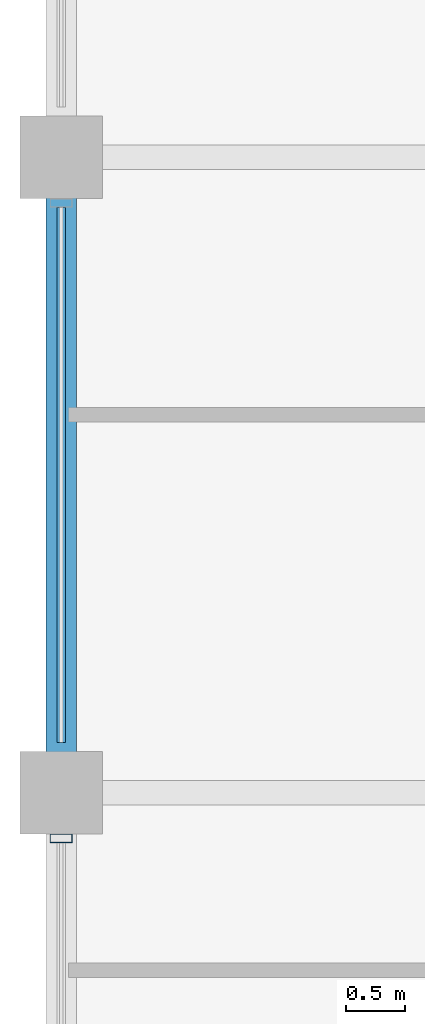
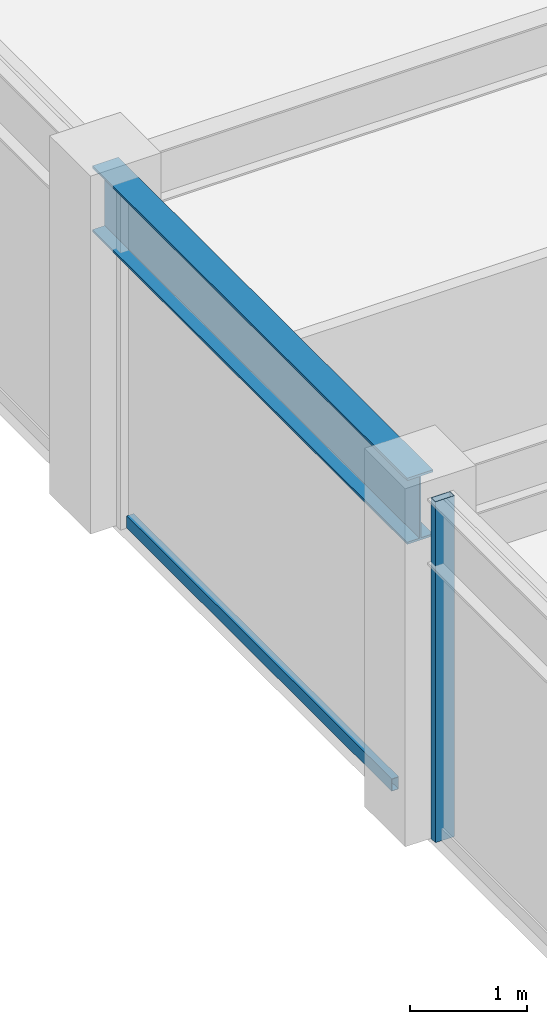
# One storey, part 10 of 31: 2 members, 1 beam, 1 element without a shape of its own.
"""IFC4 building model written with IfcOpenShell, lengths in metres."""

from ifc_helpers import new_model, si_unit, direction, frame, origin, origin_2d, place, context, subcontext, project, spatial, hollow_rectangle, i_section, extrude, material, layer, layer_set, material_profile, profile_set, type_object, element, aggregate, save


model = new_model("IFC4")

# Units and contexts
model_context = context("Model", 3, precision=1e-05, world=origin(), true_north=direction((0.0, 1.0)))
body_context = subcontext(model_context, "Body", "Model", "MODEL_VIEW")
ifc_project = project(units=[si_unit("LENGTHUNIT", "METRE"), si_unit("AREAUNIT", "SQUARE_METRE"), si_unit("VOLUMEUNIT", "CUBIC_METRE"), si_unit("PLANEANGLEUNIT", "RADIAN"), si_unit("MASSUNIT", "GRAM", prefix="KILO")], contexts=[model_context])

# Site, building, storey
site_placement = place(None, origin())
site = spatial("IfcSite", under=ifc_project, at=site_placement, CompositionType="ELEMENT")
building_placement = place(site_placement, origin())
building = spatial("IfcBuilding", under=site, at=building_placement, Name="Surkhivell Harbour Commons", CompositionType="ELEMENT")
storey_placement = place(building_placement, frame((0.0, 0.0, 285.0)))
storey = spatial("IfcBuildingStorey", under=building, at=storey_placement, Name="L74", CompositionType="ELEMENT", Elevation=285.0)

# Beam
ifc_material_1 = material(Name="Steel S355", Category="steel")
ifc_material_profile_1 = material_profile(ifc_material_1, i_section(OverallWidth=0.256103515625, OverallDepth=0.693115234375, WebThickness=0.014404296875, FlangeThickness=0.023681640625, at=origin_2d()), Name="UB686x254x170")
ifc_profile_set_1 = profile_set([ifc_material_profile_1], Name="Steel S355")
beam_type = type_object("IfcBeamType", Name="BM-SPN-686", PredefinedType="SPANDREL", material=ifc_profile_set_1)
beam_placement = place(storey_placement, frame((-27.0, 5.39990234375, 3.223388671875), z_axis=(0.0, 1.0, 0.0), x_axis=(-1.0, 0.0, 0.0)))
element("IfcBeam", 1, at=beam_placement, inside=storey, type_object=beam_type, Name="L74 Tube Spandrel (-27.0,5.4)", PredefinedType="SPANDREL", context=body_context, shape_type="SweptSolid", body=[
    extrude(i_section(OverallWidth=0.256103515625, OverallDepth=0.693115234375, WebThickness=0.014404296875, FlangeThickness=0.023681640625, at=origin_2d()), origin(), (0.0, 0.0, 1.0), 5.400146484375),
])

# Curtain wall, members
ifc_material_2 = material(Name="Anodised pale-metal aluminium and insulated glazing", Category="aluminium")
ifc_layer = layer(ifc_material_2, 0.175048828125)
ifc_layer_set = layer_set([ifc_layer], Name="Anodised pale-metal aluminium and insulated glazing")
curtain_wall_type = type_object("IfcCurtainWallType", Name="CW-SYS-Z4", PredefinedType="NOTDEFINED", material=ifc_layer_set)
curtain_wall_placement = place(storey_placement, origin())
curtain_wall = element("IfcCurtainWall", 2, at=curtain_wall_placement, inside=storey, type_object=curtain_wall_type, Name="L74 Curtain Wall CW-L74-E12S1", PredefinedType="NOTDEFINED")
ifc_material_3 = material(Name="Anodised pale-metal aluminium alloy 6063-T6", Category="aluminium")
ifc_material_profile_2 = material_profile(ifc_material_3, hollow_rectangle(XDim=0.074951171875, YDim=0.18994140625, WallThickness=0.00390625, at=origin_2d()), Name="ALU-MULL-75x190")
ifc_profile_set_2 = profile_set([ifc_material_profile_2], Name="Anodised pale-metal aluminium alloy 6063-T6")
member_type_1 = type_object("IfcMemberType", Name="CWM-190", PredefinedType="MULLION", material=ifc_profile_set_2)
member_1_placement = place(storey_placement, frame((-27.0, 5.010498046875, 0.0), z_axis=(0.0, 0.0, 1.0), x_axis=(0.0, -1.0, 0.0)))
member_1 = element("IfcMember", 3, at=member_1_placement, type_object=member_type_1, Name="CW-Z4 mullion 4", PredefinedType="MULLION", context=body_context, shape_type="SweptSolid", body=[
    extrude(hollow_rectangle(XDim=0.074951171875, YDim=0.18994140625, WallThickness=0.00390625, at=origin_2d()), origin(), (0.0, 0.0, 1.0), 3.570068359375),
])
ifc_material_4 = material(Name="Champagne anodised aluminium alloy 6063-T6", Category="aluminium")
ifc_material_profile_3 = material_profile(ifc_material_4, hollow_rectangle(XDim=0.070068359375, YDim=0.1298828125, WallThickness=0.00341796875, at=origin_2d()), Name="ALU-TRAN-70x130")
ifc_profile_set_3 = profile_set([ifc_material_profile_3], Name="Champagne anodised aluminium alloy 6063-T6")
member_type_2 = type_object("IfcMemberType", Name="CWT-130", PredefinedType="USERDEFINED", material=ifc_profile_set_3)
member_2_placement = place(storey_placement, frame((-27.0, 10.373046875, 0.06494140625), z_axis=(0.0, -1.0, 0.0), x_axis=(1.0, 0.0, 0.0)))
member_2 = element("IfcMember", 4, at=member_2_placement, type_object=member_type_2, Name="CW-Z4 transom 3.1", ObjectType="TRANSOM", PredefinedType="USERDEFINED", context=body_context, shape_type="SweptSolid", body=[
    extrude(hollow_rectangle(XDim=0.070068359375, YDim=0.1298828125, WallThickness=0.00341796875, at=origin_2d()), origin(), (0.0, 0.0, 1.0), 4.546142578125),
])
aggregate(curtain_wall, [member_2, member_1])

save(model, "model.ifc")
